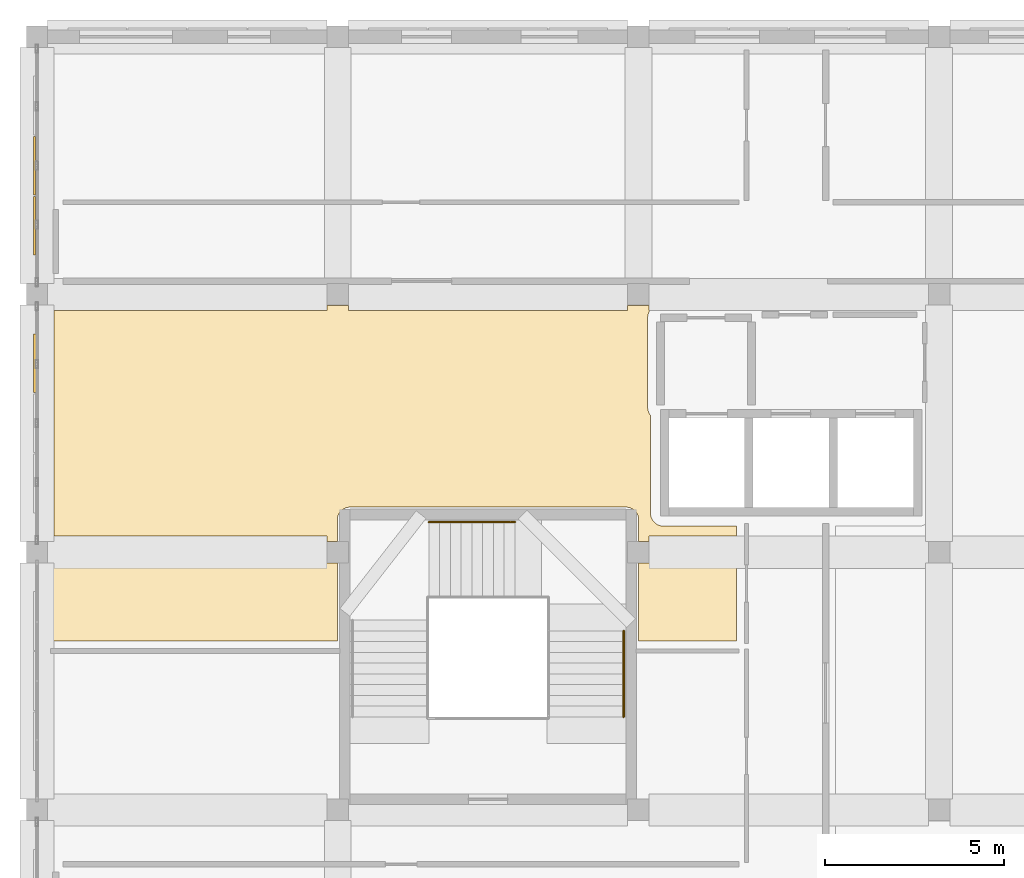
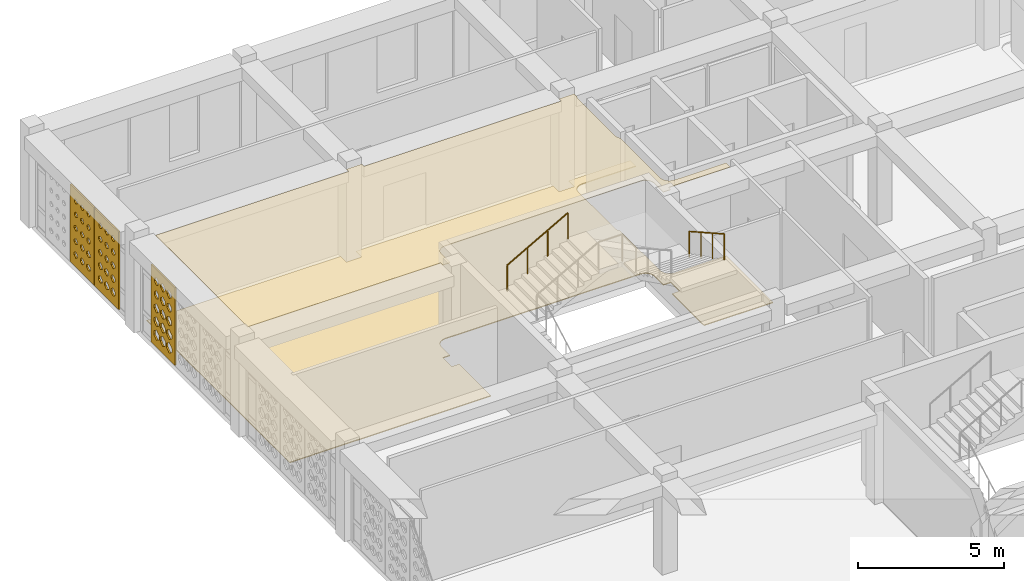
# One storey, part 41 of 48: 5 coverings, 2 railings.
"""IFC4 building model written with IfcOpenShell, lengths in metres."""

from ifc_helpers import new_model, si_unit, derived_unit, direction, frame, origin, origin_2d, place, context, subcontext, project, spatial, polyline, circle, outline, extrude, material, layer, layer_set, type_object, element, save


model = new_model("IFC4")

# Units and contexts
model_context = context("Model", 3, precision=1e-05, world=origin(), true_north=direction((0.0, 1.0)))
body_context = subcontext(model_context, "Body", "Model", "MODEL_VIEW")
ifc_project = project(units=[si_unit("LENGTHUNIT", "METRE"), si_unit("AREAUNIT", "SQUARE_METRE"), si_unit("VOLUMEUNIT", "CUBIC_METRE"), si_unit("PLANEANGLEUNIT", "RADIAN"), si_unit("MASSUNIT", "GRAM", prefix="KILO"), derived_unit("THERMALTRANSMITTANCEUNIT", [(si_unit("POWERUNIT", "WATT"), 1), (si_unit("LENGTHUNIT", "METRE"), -2), (si_unit("THERMODYNAMICTEMPERATUREUNIT", "KELVIN"), -1)])], contexts=[model_context])

# Site, building, storey
site_placement = place(None, origin())
site = spatial("IfcSite", under=ifc_project, at=site_placement, CompositionType="ELEMENT")
building_placement = place(site_placement, origin())
building = spatial("IfcBuilding", under=site, at=building_placement, Name="Veybourne Emporium", CompositionType="ELEMENT")
storey_placement = place(building_placement, frame((0.0, 0.0, 27.89990234375)))
storey = spatial("IfcBuildingStorey", under=building, at=storey_placement, Name="L06", CompositionType="ELEMENT", Elevation=27.89990234375)

# Coverings
ifc_material_1 = material(Name="Mineral Acoustic Ceiling", Category="gypsum")
ifc_layer_1 = layer(ifc_material_1, 0.02490234375)
ifc_layer_set_1 = layer_set([ifc_layer_1], Name="Mineral Acoustic Ceiling")
covering_type_1 = type_object("IfcCoveringType", Name="Ceiling_CLG-01", PredefinedType="CEILING", material=ifc_layer_set_1)
covering_1_placement = place(storey_placement, frame((0.0, 0.0, 3.885009765625)))
element("IfcCovering", 1, at=covering_1_placement, inside=storey, type_object=covering_type_1, Name="L06 coffered acoustic ceiling 04", PredefinedType="CEILING", context=body_context, shape_type="SweptSolid", body=[
    extrude(outline(polyline([(8.699951171875, 42.89501953125), (8.699951171875, 42.751953125), (16.5, 42.751953125), (16.5, 42.89501953125), (17.10009765625, 42.89501953125), (17.10009765625, 42.751953125), (17.122314453125, 42.751953125), (17.115478515625, 42.74169921875), (17.107421875, 42.728271484375), (17.09814453125, 42.7109375), (17.09130859375, 42.69677734375), (17.083984375, 42.6787109375), (17.07861328125, 42.663818359375), (17.072998046875, 42.64501953125), (17.069091796875, 42.6298828125), (17.065185546875, 42.610595703125), (17.06298828125, 42.594970703125), (17.06103515625, 42.575439453125), (17.060302734375, 42.559814453125), (17.06005859375, 42.550048828125), (17.06005859375, 40.04833984375), (17.060302734375, 40.038818359375), (17.06103515625, 40.0234375), (17.062744140625, 40.00439453125), (17.06494140625, 39.9892578125), (17.068603515625, 39.970458984375), (17.072265625, 39.95556640625), (17.077880859375, 39.93701171875), (17.082763671875, 39.92236328125), (17.090087890625, 39.90478515625), (17.096435546875, 39.890869140625), (17.105224609375, 39.873779296875), (17.113037109375, 39.860595703125), (17.12353515625, 39.844482421875), (17.13232421875, 39.83203125), (17.139892578125, 39.822509765625), (17.139892578125, 37.090087890625), (17.14013671875, 37.080078125), (17.14111328125, 37.064453125), (17.142822265625, 37.044921875), (17.145263671875, 37.029541015625), (17.149169921875, 37.01025390625), (17.15283203125, 36.994873046875), (17.15869140625, 36.97607421875), (17.163818359375, 36.96142578125), (17.17138671875, 36.943359375), (17.177978515625, 36.92919921875), (17.187255859375, 36.911865234375), (17.1953125, 36.8984375), (17.206298828125, 36.8818359375), (17.2158203125, 36.869384765625), (17.22802734375, 36.854248046875), (17.238525390625, 36.842529296875), (17.252685546875, 36.82861328125), (17.26416015625, 36.818115234375), (17.279296875, 36.8056640625), (17.2919921875, 36.79638671875), (17.308349609375, 36.785400390625), (17.32177734375, 36.77734375), (17.339111328125, 36.76806640625), (17.353271484375, 36.761474609375), (17.371337890625, 36.75390625), (17.38623046875, 36.74853515625), (17.405029296875, 36.742919921875), (17.420166015625, 36.739013671875), (17.439453125, 36.7353515625), (17.455078125, 36.73291015625), (17.474609375, 36.73095703125), (17.490234375, 36.730224609375), (17.5, 36.72998046875), (19.5400390625, 36.72998046875), (19.5400390625, 36.447998046875), (17.10009765625, 36.447998046875), (17.10009765625, 36.304931640625), (16.81005859375, 36.304931640625), (16.81005859375, 36.89990234375), (16.809814453125, 36.909912109375), (16.80908203125, 36.925537109375), (16.80712890625, 36.945068359375), (16.8046875, 36.96044921875), (16.801025390625, 36.979736328125), (16.797119140625, 36.9951171875), (16.79150390625, 37.013916015625), (16.7861328125, 37.028564453125), (16.778564453125, 37.046630859375), (16.77197265625, 37.06103515625), (16.7626953125, 37.078125), (16.754638671875, 37.091796875), (16.74365234375, 37.108154296875), (16.734375, 37.12060546875), (16.721923828125, 37.1357421875), (16.71142578125, 37.1474609375), (16.697265625, 37.161376953125), (16.685791015625, 37.171875), (16.670654296875, 37.184326171875), (16.658203125, 37.193603515625), (16.6416015625, 37.20458984375), (16.628173828125, 37.212646484375), (16.61083984375, 37.221923828125), (16.5966796875, 37.228515625), (16.57861328125, 37.236083984375), (16.56396484375, 37.241455078125), (16.545166015625, 37.2470703125), (16.52978515625, 37.2509765625), (16.510498046875, 37.2548828125), (16.494873046875, 37.257080078125), (16.4755859375, 37.259033203125), (16.459716796875, 37.259765625), (16.449951171875, 37.260009765625), (8.75, 37.260009765625), (8.740234375, 37.259765625), (8.724609375, 37.259033203125), (8.705078125, 37.257080078125), (8.689453125, 37.2548828125), (8.670166015625, 37.2509765625), (8.655029296875, 37.2470703125), (8.63623046875, 37.241455078125), (8.621337890625, 37.236083984375), (8.603271484375, 37.228515625), (8.589111328125, 37.221923828125), (8.57177734375, 37.212646484375), (8.558349609375, 37.20458984375), (8.5419921875, 37.193603515625), (8.529296875, 37.184326171875), (8.51416015625, 37.171875), (8.502685546875, 37.161376953125), (8.488525390625, 37.1474609375), (8.47802734375, 37.1357421875), (8.4658203125, 37.12060546875), (8.456298828125, 37.108154296875), (8.4453125, 37.091796875), (8.437255859375, 37.078125), (8.427978515625, 37.06103515625), (8.42138671875, 37.046630859375), (8.413818359375, 37.028564453125), (8.40869140625, 37.013916015625), (8.40283203125, 36.9951171875), (8.399169921875, 36.979736328125), (8.395263671875, 36.96044921875), (8.392822265625, 36.945068359375), (8.39111328125, 36.925537109375), (8.39013671875, 36.909912109375), (8.389892578125, 36.89990234375), (8.389892578125, 36.304931640625), (8.10009765625, 36.304931640625), (8.10009765625, 36.447998046875), (0.472900390625, 36.447998046875), (0.472900390625, 42.751953125), (8.10009765625, 42.751953125), (8.10009765625, 42.89501953125), (8.699951171875, 42.89501953125)])), origin(), (0.0, 0.0, 1.0), 0.025146484375),
])
ifc_material_2 = material(Name="European Oak Parquet", Category="wood")
ifc_layer_2 = layer(ifc_material_2, 0.034912109375)
ifc_layer_set_2 = layer_set([ifc_layer_2], Name="European Oak Parquet")
covering_type_2 = type_object("IfcCoveringType", Name="Flooring_FLR-02", PredefinedType="FLOORING", material=ifc_layer_set_2)
covering_2_placement = place(storey_placement, origin())
element("IfcCovering", 2, at=covering_2_placement, inside=storey, type_object=covering_type_2, Name="L06 floor finish 04", PredefinedType="FLOORING", context=body_context, shape_type="SweptSolid", body=[
    extrude(outline(polyline([(0.453369140625, 43.3212890625), (0.471435546875, 43.31396484375), (0.486083984375, 43.30859375), (0.5048828125, 43.302978515625), (0.520263671875, 43.299072265625), (0.53955078125, 43.295166015625), (0.554931640625, 43.29296875), (0.574462890625, 43.291015625), (0.590087890625, 43.290283203125), (0.60009765625, 43.2900390625), (8.094970703125, 43.2900390625), (8.094970703125, 42.89501953125), (8.705078125, 42.89501953125), (8.705078125, 43.2900390625), (16.4951171875, 43.2900390625), (16.4951171875, 42.89501953125), (17.10498046875, 42.89501953125), (17.10498046875, 43.2900390625), (19.5400390625, 43.2900390625), (19.5400390625, 42.909912109375), (17.419921875, 42.909912109375), (17.41015625, 42.90966796875), (17.39453125, 42.908935546875), (17.375, 42.906982421875), (17.359375, 42.90478515625), (17.340087890625, 42.90087890625), (17.324951171875, 42.897216796875), (17.30615234375, 42.891357421875), (17.291259765625, 42.88623046875), (17.273193359375, 42.878662109375), (17.259033203125, 42.871826171875), (17.24169921875, 42.86279296875), (17.228271484375, 42.8544921875), (17.2119140625, 42.84375), (17.19921875, 42.834228515625), (17.184326171875, 42.822021484375), (17.172607421875, 42.811279296875), (17.15869140625, 42.79736328125), (17.14794921875, 42.78564453125), (17.1357421875, 42.770751953125), (17.12646484375, 42.758056640625), (17.115478515625, 42.74169921875), (17.107421875, 42.728271484375), (17.09814453125, 42.7109375), (17.09130859375, 42.69677734375), (17.083984375, 42.6787109375), (17.07861328125, 42.663818359375), (17.072998046875, 42.64501953125), (17.069091796875, 42.6298828125), (17.065185546875, 42.610595703125), (17.06298828125, 42.594970703125), (17.06103515625, 42.575439453125), (17.060302734375, 42.559814453125), (17.06005859375, 42.550048828125), (17.06005859375, 40.04833984375), (17.060302734375, 40.038818359375), (17.06103515625, 40.0234375), (17.062744140625, 40.00439453125), (17.06494140625, 39.9892578125), (17.068603515625, 39.970458984375), (17.072265625, 39.95556640625), (17.077880859375, 39.93701171875), (17.082763671875, 39.92236328125), (17.090087890625, 39.90478515625), (17.096435546875, 39.890869140625), (17.105224609375, 39.873779296875), (17.113037109375, 39.860595703125), (17.12353515625, 39.844482421875), (17.13232421875, 39.83203125), (17.139892578125, 39.822509765625), (17.139892578125, 37.090087890625), (17.14013671875, 37.080078125), (17.14111328125, 37.064453125), (17.142822265625, 37.044921875), (17.145263671875, 37.029541015625), (17.149169921875, 37.01025390625), (17.15283203125, 36.994873046875), (17.15869140625, 36.97607421875), (17.163818359375, 36.96142578125), (17.17138671875, 36.943359375), (17.177978515625, 36.92919921875), (17.187255859375, 36.911865234375), (17.1953125, 36.8984375), (17.206298828125, 36.8818359375), (17.2158203125, 36.869384765625), (17.22802734375, 36.854248046875), (17.238525390625, 36.842529296875), (17.252685546875, 36.82861328125), (17.26416015625, 36.818115234375), (17.279296875, 36.8056640625), (17.2919921875, 36.79638671875), (17.308349609375, 36.785400390625), (17.32177734375, 36.77734375), (17.339111328125, 36.76806640625), (17.353271484375, 36.761474609375), (17.371337890625, 36.75390625), (17.38623046875, 36.74853515625), (17.405029296875, 36.742919921875), (17.420166015625, 36.739013671875), (17.439453125, 36.7353515625), (17.455078125, 36.73291015625), (17.474609375, 36.73095703125), (17.490234375, 36.730224609375), (17.5, 36.72998046875), (19.5400390625, 36.72998046875), (19.5400390625, 33.52001953125), (16.81005859375, 33.52001953125), (16.81005859375, 35.695068359375), (17.10498046875, 35.695068359375), (17.10498046875, 36.304931640625), (16.81005859375, 36.304931640625), (16.81005859375, 36.89990234375), (16.809814453125, 36.909912109375), (16.80908203125, 36.925537109375), (16.80712890625, 36.945068359375), (16.8046875, 36.96044921875), (16.801025390625, 36.979736328125), (16.797119140625, 36.9951171875), (16.79150390625, 37.013916015625), (16.7861328125, 37.028564453125), (16.778564453125, 37.046630859375), (16.77197265625, 37.06103515625), (16.7626953125, 37.078125), (16.754638671875, 37.091796875), (16.74365234375, 37.108154296875), (16.734375, 37.12060546875), (16.721923828125, 37.1357421875), (16.71142578125, 37.1474609375), (16.697265625, 37.161376953125), (16.685791015625, 37.171875), (16.670654296875, 37.184326171875), (16.658203125, 37.193603515625), (16.6416015625, 37.20458984375), (16.628173828125, 37.212646484375), (16.61083984375, 37.221923828125), (16.5966796875, 37.228515625), (16.57861328125, 37.236083984375), (16.56396484375, 37.241455078125), (16.545166015625, 37.2470703125), (16.52978515625, 37.2509765625), (16.510498046875, 37.2548828125), (16.494873046875, 37.257080078125), (16.4755859375, 37.259033203125), (16.459716796875, 37.259765625), (16.449951171875, 37.260009765625), (8.75, 37.260009765625), (8.740234375, 37.259765625), (8.724609375, 37.259033203125), (8.705078125, 37.257080078125), (8.689453125, 37.2548828125), (8.670166015625, 37.2509765625), (8.655029296875, 37.2470703125), (8.63623046875, 37.241455078125), (8.621337890625, 37.236083984375), (8.603271484375, 37.228515625), (8.589111328125, 37.221923828125), (8.57177734375, 37.212646484375), (8.558349609375, 37.20458984375), (8.5419921875, 37.193603515625), (8.529296875, 37.184326171875), (8.51416015625, 37.171875), (8.502685546875, 37.161376953125), (8.488525390625, 37.1474609375), (8.47802734375, 37.1357421875), (8.4658203125, 37.12060546875), (8.456298828125, 37.108154296875), (8.4453125, 37.091796875), (8.437255859375, 37.078125), (8.427978515625, 37.06103515625), (8.42138671875, 37.046630859375), (8.413818359375, 37.028564453125), (8.40869140625, 37.013916015625), (8.40283203125, 36.9951171875), (8.399169921875, 36.979736328125), (8.395263671875, 36.96044921875), (8.392822265625, 36.945068359375), (8.39111328125, 36.925537109375), (8.39013671875, 36.909912109375), (8.389892578125, 36.89990234375), (8.389892578125, 36.304931640625), (8.094970703125, 36.304931640625), (8.094970703125, 35.695068359375), (8.389892578125, 35.695068359375), (8.389892578125, 33.52001953125), (0.43994140625, 33.52001953125), (0.43994140625, 43.32763671875), (0.453369140625, 43.3212890625)])), origin(), (0.0, 0.0, 1.0), 0.03515625),
])

# Railings
ifc_material_3 = material(Name="Brushed Stainless Steel", Category="steel")
railing_type = type_object("IfcRailingType", Name="Handrail_HR-01", PredefinedType="HANDRAIL", material=ifc_material_3)
railing_1_placement = place(storey_placement, frame((10.949951171875, 36.840087890625, 1.650146484375)))
element("IfcRailing", 3, at=railing_1_placement, inside=storey, type_object=railing_type, Name="L06 ST-02 pitch handrail 2", PredefinedType="HANDRAIL", context=body_context, shape_type="SweptSolid", body=[
    extrude(circle(Radius=0.02392578125, at=origin_2d()), frame((0.0, 0.0, 0.92578125), z_axis=(0.871611051234, 0.0, 0.490198098085), x_axis=(0.0, 1.0, 0.0)), (0.0, 0.0, 1.0), 2.753662109375),
    extrude(circle(Radius=0.02099609375, at=origin_2d()), frame((0.0, 0.0, -0.14990234375)), (0.0, 0.0, 1.0), 1.0517578125),
    extrude(circle(Radius=0.02099609375, at=origin_2d()), frame((0.800048828125, 0.0, 0.300048828125)), (0.0, 0.0, 1.0), 1.0517578125),
    extrude(circle(Radius=0.02099609375, at=origin_2d()), frame((1.60009765625, 0.0, 0.75)), (0.0, 0.0, 1.0), 1.0517578125),
    extrude(circle(Radius=0.02099609375, at=origin_2d()), frame((2.400146484375, 0.0, 1.199951171875)), (0.0, 0.0, 1.0), 1.0517578125),
])
railing_2_placement = place(storey_placement, frame((16.389892578125, 33.800048828125, 3.0)))
element("IfcRailing", 4, at=railing_2_placement, inside=storey, type_object=railing_type, Name="L06 ST-02 pitch handrail 3", PredefinedType="HANDRAIL", context=body_context, shape_type="SweptSolid", body=[
    extrude(circle(Radius=0.02392578125, at=origin_2d()), frame((0.0, 0.0, 0.92578125), z_axis=(0.0, -0.871573169458, 0.490265448795), x_axis=(1.0, 0.0, 0.0)), (0.0, 0.0, 1.0), 2.75390625),
    extrude(circle(Radius=0.02099609375, at=origin_2d()), frame((0.0, 0.0, -0.14990234375)), (0.0, 0.0, 1.0), 1.0517578125),
    extrude(circle(Radius=0.02099609375, at=origin_2d()), frame((0.0, -0.800048828125, 0.300048828125)), (0.0, 0.0, 1.0), 1.0517578125),
    extrude(circle(Radius=0.02099609375, at=origin_2d()), frame((0.0, -1.60009765625, 0.750244140625)), (0.0, 0.0, 1.0), 1.0517578125),
    extrude(circle(Radius=0.02099609375, at=origin_2d()), frame((0.0, -2.400146484375, 1.2001953125)), (0.0, 0.0, 1.0), 1.0517578125),
])

# Coverings
ifc_material_4 = material(Name="Warm-White Perforated Aluminium Screen Alloy", Category="aluminium")
ifc_layer_3 = layer(ifc_material_4, 0.06005859375)
ifc_layer_set_3 = layer_set([ifc_layer_3], Name="Warm-White Perforated Aluminium Screen Alloy")
covering_type_3 = type_object("IfcCoveringType", Name="WaveScreen_SCR-03", PredefinedType="CLADDING", material=ifc_layer_set_3)
covering_3_placement = place(storey_placement, frame((-0.093994140625, 41.280029296875, 1.68017578125), z_axis=(1.0, 0.0, 0.0), x_axis=(0.0, 1.0, 0.0)))
element("IfcCovering", 5, at=covering_3_placement, inside=storey, type_object=covering_type_3, Name="L06 wave-perforated aluminium screen SCR-03 (5C.3)", PredefinedType="CLADDING", context=body_context, shape_type="SweptSolid", body=[
    extrude(outline(polyline([(-0.81982421875, -1.6201171875), (0.81982421875, -1.6201171875), (0.81982421875, 1.6201171875), (-0.81982421875, 1.6201171875), (-0.81982421875, -1.6201171875)]), holes=[polyline([(-0.433349609375, -0.8955078125), (-0.2470703125, -1.039306640625), (-0.2470703125, -1.20068359375), (-0.433349609375, -1.344482421875), (-0.61962890625, -1.20068359375), (-0.61962890625, -1.039306640625), (-0.433349609375, -0.8955078125)]), polyline([(-0.433349609375, -0.347900390625), (-0.249755859375, -0.483642578125), (-0.249755859375, -0.636474609375), (-0.433349609375, -0.772216796875), (-0.616943359375, -0.636474609375), (-0.616943359375, -0.483642578125), (-0.433349609375, -0.347900390625)]), polyline([(-0.433349609375, 0.199462890625), (-0.260009765625, 0.07177734375), (-0.260009765625, -0.07177734375), (-0.433349609375, -0.199462890625), (-0.6064453125, -0.07177734375), (-0.6064453125, 0.07177734375), (-0.433349609375, 0.199462890625)]), polyline([(-0.433349609375, 0.74658203125), (-0.270751953125, 0.627197265625), (-0.270751953125, 0.492919921875), (-0.433349609375, 0.373291015625), (-0.595947265625, 0.492919921875), (-0.595947265625, 0.627197265625), (-0.433349609375, 0.74658203125)]), polyline([(-0.433349609375, 1.293701171875), (-0.28125, 1.1826171875), (-0.28125, 1.057373046875), (-0.433349609375, 0.9462890625), (-0.58544921875, 1.057373046875), (-0.58544921875, 1.1826171875), (-0.433349609375, 1.293701171875)]), polyline([(0.0, -0.901611328125), (0.186279296875, -1.041259765625), (0.186279296875, -1.19873046875), (0.0, -1.33837890625), (-0.186279296875, -1.19873046875), (-0.186279296875, -1.041259765625), (0.0, -0.901611328125)]), polyline([(0.0, -0.35400390625), (0.178466796875, -0.48583984375), (0.178466796875, -0.634033203125), (0.0, -0.765869140625), (-0.178466796875, -0.634033203125), (-0.178466796875, -0.48583984375), (0.0, -0.35400390625)]), polyline([(0.0, 0.193115234375), (0.16796875, 0.069580078125), (0.16796875, -0.069580078125), (0.0, -0.193115234375), (-0.16796875, -0.069580078125), (-0.16796875, 0.069580078125), (0.0, 0.193115234375)]), polyline([(0.0, 0.740234375), (0.157470703125, 0.625), (0.157470703125, 0.4951171875), (0.0, 0.3798828125), (-0.157470703125, 0.4951171875), (-0.157470703125, 0.625), (0.0, 0.740234375)]), polyline([(0.0, 1.28759765625), (0.147216796875, 1.180419921875), (0.147216796875, 1.059814453125), (0.0, 0.952392578125), (-0.147216796875, 1.059814453125), (-0.147216796875, 1.180419921875), (0.0, 1.28759765625)]), polyline([(0.433349609375, -0.90771484375), (0.616943359375, -1.043701171875), (0.616943359375, -1.1962890625), (0.433349609375, -1.332275390625), (0.24951171875, -1.1962890625), (0.24951171875, -1.043701171875), (0.433349609375, -0.90771484375)]), polyline([(0.433349609375, -0.360595703125), (0.606689453125, -0.48828125), (0.606689453125, -0.6318359375), (0.433349609375, -0.759521484375), (0.260009765625, -0.6318359375), (0.260009765625, -0.48828125), (0.433349609375, -0.360595703125)]), polyline([(0.433349609375, 0.1865234375), (0.595947265625, 0.067138671875), (0.595947265625, -0.067138671875), (0.433349609375, -0.1865234375), (0.2705078125, -0.067138671875), (0.2705078125, 0.067138671875), (0.433349609375, 0.1865234375)]), polyline([(0.433349609375, 0.73388671875), (0.585693359375, 0.62255859375), (0.585693359375, 0.497314453125), (0.433349609375, 0.38623046875), (0.281005859375, 0.497314453125), (0.281005859375, 0.62255859375), (0.433349609375, 0.73388671875)]), polyline([(0.433349609375, 1.281494140625), (0.575439453125, 1.177978515625), (0.575439453125, 1.06201171875), (0.433349609375, 0.95849609375), (0.291259765625, 1.06201171875), (0.291259765625, 1.177978515625), (0.433349609375, 1.281494140625)])]), origin(), (0.0, 0.0, 1.0), 0.06005859375),
])
covering_4_placement = place(storey_placement, frame((-0.095458984375, 45.1201171875, 1.68017578125), z_axis=(1.0, 0.0, 0.0), x_axis=(0.0, 1.0, 0.0)))
element("IfcCovering", 6, at=covering_4_placement, inside=storey, type_object=covering_type_3, Name="L06 wave-perforated aluminium screen SCR-03 (7C.1)", PredefinedType="CLADDING", context=body_context, shape_type="SweptSolid", body=[
    extrude(outline(polyline([(-0.81982421875, -1.6201171875), (0.81982421875, -1.6201171875), (0.81982421875, 1.6201171875), (-0.81982421875, 1.6201171875), (-0.81982421875, -1.6201171875)]), holes=[polyline([(-0.433349609375, -0.951416015625), (-0.285400390625, -1.059326171875), (-0.285400390625, -1.1806640625), (-0.433349609375, -1.288818359375), (-0.581298828125, -1.1806640625), (-0.581298828125, -1.059326171875), (-0.433349609375, -0.951416015625)]), polyline([(-0.433349609375, -0.4033203125), (-0.295166015625, -0.503662109375), (-0.295166015625, -0.616455078125), (-0.433349609375, -0.716796875), (-0.571533203125, -0.616455078125), (-0.571533203125, -0.503662109375), (-0.433349609375, -0.4033203125)]), polyline([(-0.433349609375, 0.1455078125), (-0.30419921875, 0.052490234375), (-0.30419921875, -0.052490234375), (-0.433349609375, -0.1455078125), (-0.5625, -0.052490234375), (-0.5625, 0.052490234375), (-0.433349609375, 0.1455078125)]), polyline([(-0.433349609375, 0.695556640625), (-0.3125, 0.60888671875), (-0.3125, 0.51123046875), (-0.433349609375, 0.424560546875), (-0.55419921875, 0.51123046875), (-0.55419921875, 0.60888671875), (-0.433349609375, 0.695556640625)]), polyline([(-0.433349609375, 1.246826171875), (-0.319580078125, 1.165771484375), (-0.319580078125, 1.07421875), (-0.433349609375, 0.9931640625), (-0.547119140625, 1.07421875), (-0.547119140625, 1.165771484375), (-0.433349609375, 1.246826171875)]), polyline([(0.0, -0.95751953125), (0.14306640625, -1.0615234375), (0.14306640625, -1.178466796875), (0.0, -1.28271484375), (-0.14306640625, -1.178466796875), (-0.14306640625, -1.0615234375), (0.0, -0.95751953125)]), polyline([(0.0, -0.408935546875), (0.133544921875, -0.505615234375), (0.133544921875, -0.614501953125), (0.0, -0.7109375), (-0.133544921875, -0.614501953125), (-0.133544921875, -0.505615234375), (0.0, -0.408935546875)]), polyline([(0.0, 0.140380859375), (0.124755859375, 0.050537109375), (0.124755859375, -0.050537109375), (0.0, -0.140380859375), (-0.124755859375, -0.050537109375), (-0.124755859375, 0.050537109375), (0.0, 0.140380859375)]), polyline([(0.0, 0.69091796875), (0.1171875, 0.607177734375), (0.1171875, 0.5126953125), (0.0, 0.428955078125), (-0.1171875, 0.5126953125), (-0.1171875, 0.607177734375), (0.0, 0.69091796875)]), polyline([(0.0, 1.2431640625), (0.11083984375, 1.164306640625), (0.11083984375, 1.07568359375), (0.0, 0.996826171875), (-0.11083984375, 1.07568359375), (-0.11083984375, 1.164306640625), (0.0, 1.2431640625)]), polyline([(0.433349609375, -0.96337890625), (0.571533203125, -1.063720703125), (0.571533203125, -1.176513671875), (0.433349609375, -1.276611328125), (0.295166015625, -1.176513671875), (0.295166015625, -1.063720703125), (0.433349609375, -0.96337890625)]), polyline([(0.433349609375, -0.41455078125), (0.5625, -0.507568359375), (0.5625, -0.6123046875), (0.433349609375, -0.70556640625), (0.30419921875, -0.6123046875), (0.30419921875, -0.507568359375), (0.433349609375, -0.41455078125)]), polyline([(0.433349609375, 0.135498046875), (0.55419921875, 0.048828125), (0.55419921875, -0.048828125), (0.433349609375, -0.135498046875), (0.3125, -0.048828125), (0.3125, 0.048828125), (0.433349609375, 0.135498046875)]), polyline([(0.433349609375, 0.68701171875), (0.547119140625, 0.605712890625), (0.547119140625, 0.514404296875), (0.433349609375, 0.43310546875), (0.319580078125, 0.514404296875), (0.319580078125, 0.605712890625), (0.433349609375, 0.68701171875)]), polyline([(0.433349609375, 1.239990234375), (0.54150390625, 1.1630859375), (0.54150390625, 1.076904296875), (0.433349609375, 1.0), (0.3251953125, 1.076904296875), (0.3251953125, 1.1630859375), (0.433349609375, 1.239990234375)])]), origin(), (0.0, 0.0, 1.0), 0.06005859375),
])
ifc_layer_4 = layer(ifc_material_4, 0.06005859375)
ifc_layer_set_4 = layer_set([ifc_layer_4], Name="Warm-White Perforated Aluminium Screen Alloy")
covering_type_4 = type_object("IfcCoveringType", Name="WaveScreen_SCR-04", PredefinedType="CLADDING", material=ifc_layer_set_4)
covering_5_placement = place(storey_placement, frame((-0.095458984375, 46.800048828125, 1.68017578125), z_axis=(1.0, 0.0, 0.0), x_axis=(0.0, 1.0, 0.0)))
element("IfcCovering", 7, at=covering_5_placement, inside=storey, type_object=covering_type_4, Name="L06 wave-perforated aluminium screen SCR-04 (7C.2)", PredefinedType="CLADDING", context=body_context, shape_type="SweptSolid", body=[
    extrude(outline(polyline([(-0.81982421875, -1.6201171875), (0.81982421875, -1.6201171875), (0.81982421875, 1.6201171875), (-0.81982421875, 1.6201171875), (-0.81982421875, -1.6201171875)]), holes=[polyline([(-0.433349609375, -0.9736328125), (-0.3037109375, -1.0673828125), (-0.3037109375, -1.172607421875), (-0.433349609375, -1.266357421875), (-0.56298828125, -1.172607421875), (-0.56298828125, -1.0673828125), (-0.433349609375, -0.9736328125)]), polyline([(-0.433349609375, -0.423828125), (-0.31201171875, -0.510986328125), (-0.31201171875, -0.60888671875), (-0.433349609375, -0.6962890625), (-0.5546875, -0.60888671875), (-0.5546875, -0.510986328125), (-0.433349609375, -0.423828125)]), polyline([(-0.433349609375, 0.12744140625), (-0.319091796875, 0.0458984375), (-0.319091796875, -0.0458984375), (-0.433349609375, -0.12744140625), (-0.547607421875, -0.0458984375), (-0.547607421875, 0.0458984375), (-0.433349609375, 0.12744140625)]), polyline([(-0.433349609375, 0.680419921875), (-0.324951171875, 0.603271484375), (-0.324951171875, 0.5166015625), (-0.433349609375, 0.439697265625), (-0.541748046875, 0.5166015625), (-0.541748046875, 0.603271484375), (-0.433349609375, 0.680419921875)]), polyline([(-0.433349609375, 1.235107421875), (-0.329345703125, 1.161376953125), (-0.329345703125, 1.07861328125), (-0.433349609375, 1.0048828125), (-0.537353515625, 1.07861328125), (-0.537353515625, 1.161376953125), (-0.433349609375, 1.235107421875)]), polyline([(0.0, -0.97900390625), (0.12548828125, -1.069091796875), (0.12548828125, -1.1708984375), (0.0, -1.260986328125), (-0.12548828125, -1.1708984375), (-0.12548828125, -1.069091796875), (0.0, -0.97900390625)]), polyline([(0.0, -0.428466796875), (0.11767578125, -0.5126953125), (0.11767578125, -0.607421875), (0.0, -0.691650390625), (-0.11767578125, -0.607421875), (-0.11767578125, -0.5126953125), (0.0, -0.428466796875)]), polyline([(0.0, 0.123779296875), (0.111083984375, 0.04443359375), (0.111083984375, -0.04443359375), (0.0, -0.123779296875), (-0.111083984375, -0.04443359375), (-0.111083984375, 0.04443359375), (0.0, 0.123779296875)]), polyline([(0.0, 0.677490234375), (0.106201171875, 0.602294921875), (0.106201171875, 0.517578125), (0.0, 0.442626953125), (-0.106201171875, 0.517578125), (-0.106201171875, 0.602294921875), (0.0, 0.677490234375)]), polyline([(0.0, 1.23291015625), (0.1025390625, 1.16064453125), (0.1025390625, 1.079345703125), (0.0, 1.007080078125), (-0.1025390625, 1.079345703125), (-0.1025390625, 1.16064453125), (0.0, 1.23291015625)]), polyline([(0.433349609375, -0.98388671875), (0.5546875, -1.071044921875), (0.5546875, -1.1689453125), (0.433349609375, -1.256103515625), (0.31201171875, -1.1689453125), (0.31201171875, -1.071044921875), (0.433349609375, -0.98388671875)]), polyline([(0.433349609375, -0.4326171875), (0.547607421875, -0.51416015625), (0.547607421875, -0.60595703125), (0.433349609375, -0.6875), (0.319091796875, -0.60595703125), (0.319091796875, -0.51416015625), (0.433349609375, -0.4326171875)]), polyline([(0.433349609375, 0.120361328125), (0.541748046875, 0.043212890625), (0.541748046875, -0.043212890625), (0.433349609375, -0.120361328125), (0.324951171875, -0.043212890625), (0.324951171875, 0.043212890625), (0.433349609375, 0.120361328125)]), polyline([(0.433349609375, 0.675048828125), (0.537353515625, 0.601318359375), (0.537353515625, 0.5185546875), (0.433349609375, 0.445068359375), (0.329345703125, 0.5185546875), (0.329345703125, 0.601318359375), (0.433349609375, 0.675048828125)]), polyline([(0.433349609375, 1.2314453125), (0.53466796875, 1.16015625), (0.53466796875, 1.079833984375), (0.433349609375, 1.008544921875), (0.33203125, 1.079833984375), (0.33203125, 1.16015625), (0.433349609375, 1.2314453125)])]), origin(), (0.0, 0.0, 1.0), 0.06005859375),
])

save(model, "model.ifc")
